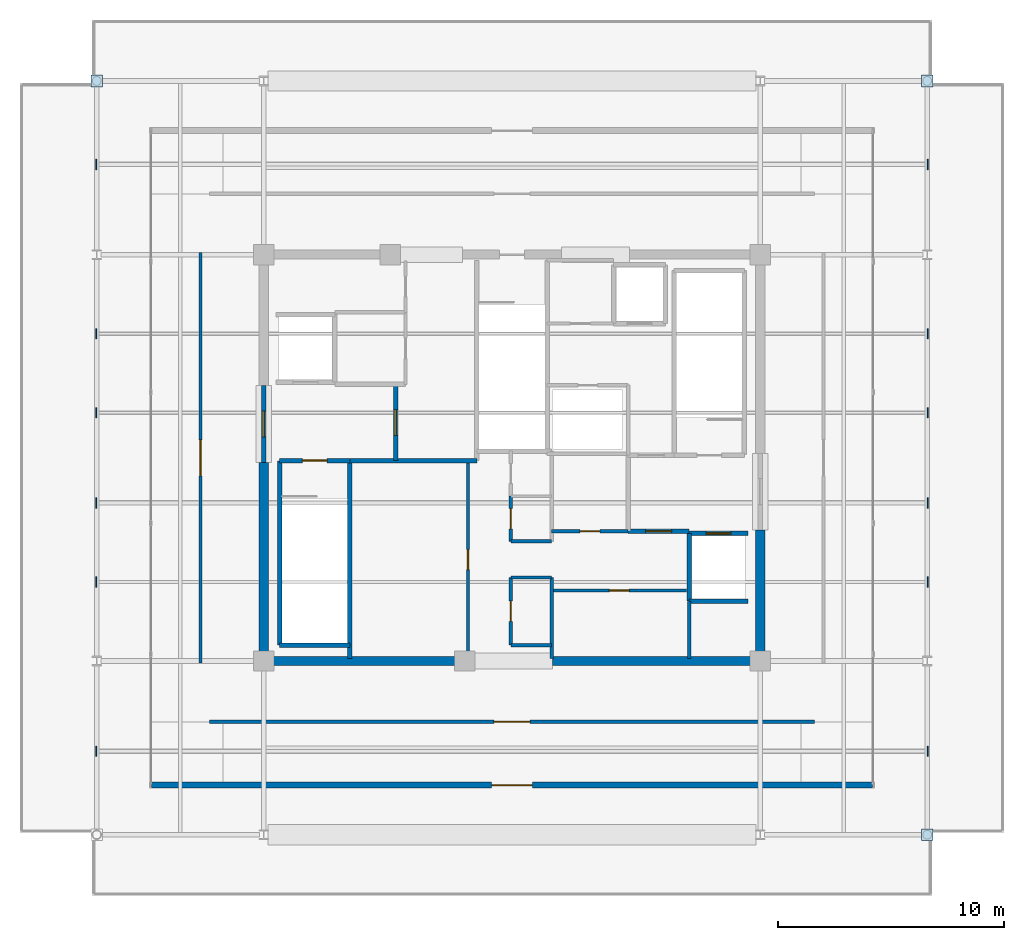
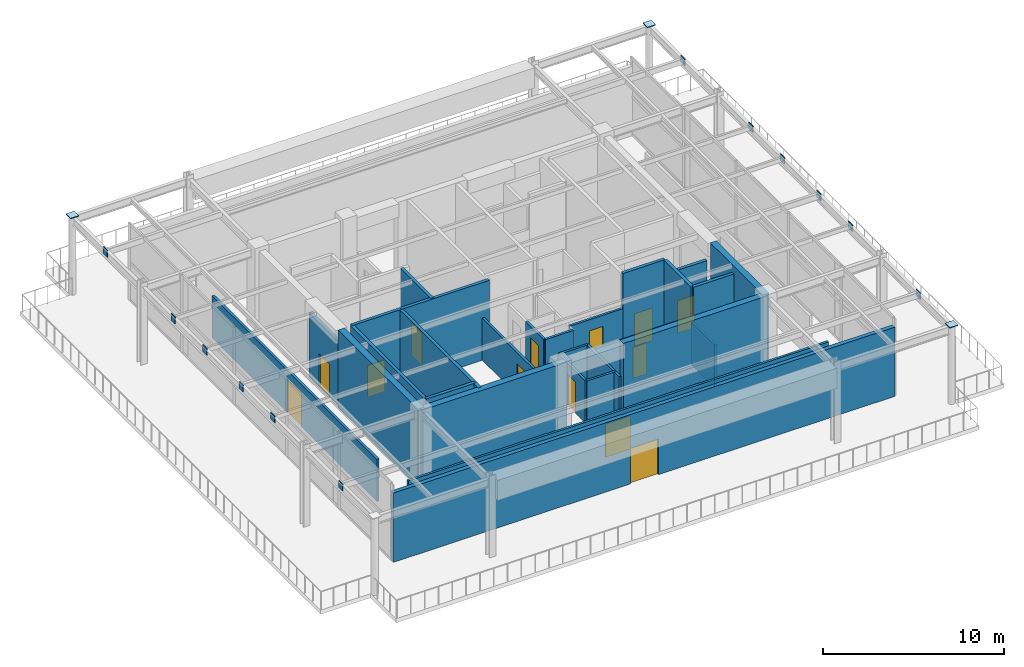
# One storey, part 13 of 16: 28 walls, 15 plates, 13 doors, 13 openings.
"""IFC4 building model written with IfcOpenShell, lengths in metres."""

from ifc_helpers import new_model, si_unit, direction, frame, frame_2d, origin, origin_2d, place, context, subcontext, project, spatial, rectangle, extrude, material, layer, layer_set, type_object, element, fill, save


model = new_model("IFC4")

# Units and contexts
model_context = context("Model", 3, precision=1e-05, world=origin(), true_north=direction((0.0, 1.0)))
body_context = subcontext(model_context, "Body", "Model", "MODEL_VIEW")
ifc_project = project(units=[si_unit("LENGTHUNIT", "METRE"), si_unit("AREAUNIT", "SQUARE_METRE"), si_unit("VOLUMEUNIT", "CUBIC_METRE"), si_unit("PLANEANGLEUNIT", "RADIAN"), si_unit("MASSUNIT", "GRAM", prefix="KILO")], contexts=[model_context])

# Site, building, storey
site_placement = place(None, origin())
site = spatial("IfcSite", under=ifc_project, at=site_placement, CompositionType="ELEMENT")
building_placement = place(site_placement, origin())
building = spatial("IfcBuilding", under=site, at=building_placement, Name="Kovane Verandah Tower", CompositionType="ELEMENT")
storey_placement = place(building_placement, frame((0.0, 0.0, 354.300048828125)))
storey = spatial("IfcBuildingStorey", under=building, at=storey_placement, Name="L82", CompositionType="ELEMENT", Elevation=354.300048828125)

# Plates
ifc_material_1 = material(Name="Steel S460", Category="steel")
ifc_layer_1 = layer(ifc_material_1, 0.050048828125)
ifc_layer_set_1 = layer_set([ifc_layer_1], Name="Steel S460")
plate_type = type_object("IfcPlateType", Name="PL-CAP-50", PredefinedType="SHEET", material=ifc_layer_set_1)
for number, where, z_axis, x_axis, name in (
    (1, (58.39990234375, 10.800048828125, 5.23974609375), (0.0, 0.0, 1.0), (1.0, 0.0, 0.0), "L82 MC-SE Hollow Column Cap Plate"),
    (2, (21.60009765625, 44.199951171875, 5.23974609375), (0.0, 0.0, 1.0), (1.0, 0.0, 0.0), "L82 MC-NW Hollow Column Cap Plate"),
    (3, (58.39990234375, 44.199951171875, 5.23974609375), (0.0, 0.0, 1.0), (1.0, 0.0, 0.0), "L82 MC-NE Hollow Column Cap Plate"),
):
    element("IfcPlate", number, at=place(storey_placement, frame(where, z_axis=z_axis, x_axis=x_axis)), inside=storey, type_object=plate_type, Name=name, PredefinedType="SHEET", context=body_context, shape_type="SweptSolid", body=[
        extrude(rectangle(XDim=0.52001953125, YDim=0.52001953125, at=origin_2d()), origin(), (0.0, 0.0, 1.0), 0.050048828125),
    ])
for number, where, z_axis, x_axis, name in (
    (4, (21.580078125, 14.5, 4.804931640625), (0.0, 0.0, 1.0), (1.0, 0.0, 0.0), "CAN-PUR01-L82-P0"),
    (5, (58.419921875, 14.5, 4.804931640625), (0.0, 0.0, 1.0), (1.0, 0.0, 0.0), "CAN-PUR01-L82-P1"),
    (6, (21.580078125, 40.5, 4.804931640625), (0.0, 0.0, 1.0), (1.0, 0.0, 0.0), "CAN-PUR02-L82-P0"),
    (7, (58.419921875, 40.5, 4.804931640625), (0.0, 0.0, 1.0), (1.0, 0.0, 0.0), "CAN-PUR02-L82-P1"),
    (8, (21.580078125, 22.0, 4.85498046875), (0.0, 0.0, 1.0), (1.0, 0.0, 0.0), "CAN-PUR03-L82-P0"),
    (9, (58.419921875, 22.0, 4.85498046875), (0.0, 0.0, 1.0), (1.0, 0.0, 0.0), "CAN-PUR03-L82-P1"),
    (10, (21.580078125, 33.0, 4.85498046875), (0.0, 0.0, 1.0), (1.0, 0.0, 0.0), "CAN-PUR04-L82-P0"),
    (11, (58.419921875, 33.0, 4.85498046875), (0.0, 0.0, 1.0), (1.0, 0.0, 0.0), "CAN-PUR04-L82-P1"),
    (12, (21.580078125, 25.5, 4.804931640625), (0.0, 0.0, 1.0), (1.0, 0.0, 0.0), "CAN-PUR05-L82-P0"),
    (13, (58.419921875, 25.5, 4.804931640625), (0.0, 0.0, 1.0), (1.0, 0.0, 0.0), "CAN-PUR05-L82-P1"),
    (14, (21.580078125, 29.5, 4.85498046875), (0.0, 0.0, 1.0), (1.0, 0.0, 0.0), "CAN-PUR06-L82-P0"),
    (15, (58.419921875, 29.5, 4.85498046875), (0.0, 0.0, 1.0), (1.0, 0.0, 0.0), "CAN-PUR06-L82-P1"),
):
    element("IfcPlate", number, at=place(storey_placement, frame(where, z_axis=z_axis, x_axis=x_axis)), inside=storey, type_object=plate_type, Name=name, PredefinedType="SHEET", context=body_context, shape_type="SweptSolid", body=[
        extrude(rectangle(XDim=0.050048828125, YDim=0.449951171875, at=origin_2d()), origin(), (0.0, 0.0, 1.0), 0.4599609375),
    ])

# Walls
ifc_material_2 = material(Name="Fire-Rated Gypsum Stud Partition", Category="gypsum")
ifc_layer_2 = layer(ifc_material_2, 0.14990234375)
ifc_layer_set_2 = layer_set([ifc_layer_2], Name="Fire-Rated Gypsum Stud Partition")
wall_type_1 = type_object("IfcWallType", Name="WL-COR-150", PredefinedType="PARTITIONING", material=ifc_layer_set_2)
for number, where, z_axis, x_axis, name in (
    (16, (39.949951171875, 19.199951171875, 0.0), (0.0, 0.0, 1.0), (1.0, 0.0, 0.0), "L82 Central Core Strip South Wall"),
    (17, (39.949951171875, 22.199951171875, 0.0), (0.0, 0.0, 1.0), (1.0, 0.0, 0.0), "L82 Core Cross-Passage South Wall"),
    (18, (39.949951171875, 23.800048828125, 0.0), (0.0, 0.0, 1.0), (1.0, 0.0, 0.0), "L82 Core Cross-Passage North Wall"),
):
    element("IfcWall", number, at=place(storey_placement, frame(where, z_axis=z_axis, x_axis=x_axis)), inside=storey, type_object=wall_type_1, Name=name, PredefinedType="PARTITIONING", context=body_context, shape_type="SweptSolid", body=[
        extrude(rectangle(XDim=1.81005859375, YDim=0.14990234375, at=frame_2d((0.905029296875, 0.0))), origin(), (0.0, 0.0, 1.0), 2.849853515625),
    ])
wall_1_placement = place(storey_placement, frame((41.760009765625, 18.60009765625, 0.0), z_axis=(0.0, 0.0, 1.0), x_axis=(0.0, 1.0, 0.0)))
element("IfcWall", 19, at=wall_1_placement, inside=storey, type_object=wall_type_1, Name="L82 Central Core Strip Lower East Wall", PredefinedType="PARTITIONING", context=body_context, shape_type="SweptSolid", body=[
    extrude(rectangle(XDim=3.599853515625, YDim=0.14990234375, at=frame_2d((1.7998046875, 0.0))), origin(), (0.0, 0.0, 1.0), 2.849853515625),
])

# Wall, opening, door
wall_2_placement = place(storey_placement, frame((39.949951171875, 19.199951171875, 0.0), z_axis=(0.0, 0.0, 1.0), x_axis=(0.0, 1.0, 0.0)))
wall_2 = element("IfcWall", 20, at=wall_2_placement, inside=storey, type_object=wall_type_1, Name="L82 Male Toilet Partition", PredefinedType="PARTITIONING", context=body_context, shape_type="SweptSolid", body=[
    extrude(rectangle(XDim=3.0, YDim=0.14990234375, at=frame_2d((1.5, 0.0))), origin(), (0.0, 0.0, 1.0), 2.849853515625),
])
opening_1_placement = place(wall_2_placement, frame((1.050048828125, 0.0, 0.0)))
opening_1 = element("IfcOpeningElement", 21, at=opening_1_placement, cuts=wall_2, Name="Opening DR-L82-024", PredefinedType="OPENING", context=body_context, shape_type="SweptSolid", body=[
    extrude(rectangle(XDim=0.89990234375, YDim=2.10009765625, at=frame_2d((0.449951171875, 1.050048828125))), frame((0.0, 0.074951171875, 0.0), z_axis=(0.0, -1.0, 0.0), x_axis=(1.0, 0.0, 0.0)), (0.0, 0.0, 1.0), 0.14990234375),
])
ifc_material_3 = material(Name="Moisture-Resistant Laminate Washroom Door", Category="wood")
door_type_1 = type_object("IfcDoorType", Name="DR-WC-900", OperationType="SINGLE_SWING_LEFT", PredefinedType="DOOR", material=ifc_material_3)
door_1_placement = place(opening_1_placement, origin())
door_1 = element("IfcDoor", 22, at=door_1_placement, inside=storey, type_object=door_type_1, Name="L82 Male Toilet Door", OperationType="SINGLE_SWING_LEFT", OverallHeight=2.10009765625, OverallWidth=0.89990234375, PredefinedType="DOOR", context=body_context, shape_type="SweptSolid", body=[
    extrude(rectangle(XDim=0.89990234375, YDim=2.10009765625, at=frame_2d((0.449951171875, 1.050048828125))), frame((0.0, 0.02490234375, 0.0), z_axis=(0.0, -1.0, 0.0), x_axis=(1.0, 0.0, 0.0)), (0.0, 0.0, 1.0), 0.050048828125),
])
fill(opening_1, door_1)

wall_3_placement = place(storey_placement, frame((39.949951171875, 23.800048828125, 0.0), z_axis=(0.0, 0.0, 1.0), x_axis=(0.0, 1.0, 0.0)))
wall_3 = element("IfcWall", 23, at=wall_3_placement, inside=storey, type_object=wall_type_1, Name="L82 Female Toilet Partition", PredefinedType="PARTITIONING", context=body_context, shape_type="SweptSolid", body=[
    extrude(rectangle(XDim=2.0, YDim=0.14990234375, at=frame_2d((1.0, 0.0))), origin(), (0.0, 0.0, 1.0), 2.849853515625),
])
opening_2_placement = place(wall_3_placement, frame((0.550048828125, 0.0, 0.0)))
opening_2 = element("IfcOpeningElement", 24, at=opening_2_placement, cuts=wall_3, Name="Opening DR-L82-023", PredefinedType="OPENING", context=body_context, shape_type="SweptSolid", body=[
    extrude(rectangle(XDim=0.89990234375, YDim=2.10009765625, at=frame_2d((0.449951171875, 1.050048828125))), frame((0.0, 0.074951171875, 0.0), z_axis=(0.0, -1.0, 0.0), x_axis=(1.0, 0.0, 0.0)), (0.0, 0.0, 1.0), 0.14990234375),
])
door_2_placement = place(opening_2_placement, origin())
door_2 = element("IfcDoor", 25, at=door_2_placement, inside=storey, type_object=door_type_1, Name="L82 Female Toilet Door", OperationType="SINGLE_SWING_RIGHT", OverallHeight=2.10009765625, OverallWidth=0.89990234375, PredefinedType="DOOR", context=body_context, shape_type="SweptSolid", body=[
    extrude(rectangle(XDim=0.89990234375, YDim=2.10009765625, at=frame_2d((0.449951171875, 1.050048828125))), frame((0.0, 0.02490234375, 0.0), z_axis=(0.0, -1.0, 0.0), x_axis=(1.0, 0.0, 0.0)), (0.0, 0.0, 1.0), 0.050048828125),
])
fill(opening_2, door_2)

wall_4_placement = place(storey_placement, frame((38.050048828125, 18.60009765625, 0.0), z_axis=(0.0, 0.0, 1.0), x_axis=(0.0, 1.0, 0.0)))
wall_4 = element("IfcWall", 26, at=wall_4_placement, inside=storey, type_object=wall_type_1, Name="L82 Core Mechanical Fan Plant Room Partition", PredefinedType="PARTITIONING", context=body_context, shape_type="SweptSolid", body=[
    extrude(rectangle(XDim=8.77978515625, YDim=0.14990234375, at=frame_2d((4.389892578125, 0.0))), origin(), (0.0, 0.0, 1.0), 2.849853515625),
])
opening_3_placement = place(wall_4_placement, frame((3.949951171875, 0.0, 0.0)))
opening_3 = element("IfcOpeningElement", 27, at=opening_3_placement, cuts=wall_4, Name="Opening DR-L82-011", PredefinedType="OPENING", context=body_context, shape_type="SweptSolid", body=[
    extrude(rectangle(XDim=0.8798828125, YDim=2.10009765625, at=frame_2d((0.43994140625, 1.050048828125))), frame((0.0, 0.074951171875, 0.0), z_axis=(0.0, -1.0, 0.0), x_axis=(1.0, 0.0, 0.0)), (0.0, 0.0, 1.0), 0.14990234375),
])
ifc_material_4 = material(Name="Fire-Rated Steel Riser Access Door", Category="steel")
door_type_2 = type_object("IfcDoorType", Name="DR-RISER-880", OperationType="SINGLE_SWING_LEFT", PredefinedType="DOOR", material=ifc_material_4)
door_3_placement = place(opening_3_placement, origin())
door_3 = element("IfcDoor", 28, at=door_3_placement, inside=storey, type_object=door_type_2, Name="L82 Core Mechanical Fan Plant Room Door", OperationType="SINGLE_SWING_RIGHT", OverallHeight=2.10009765625, OverallWidth=0.8798828125, PredefinedType="DOOR", context=body_context, shape_type="SweptSolid", body=[
    extrude(rectangle(XDim=0.8798828125, YDim=2.10009765625, at=frame_2d((0.43994140625, 1.050048828125))), frame((0.0, 0.02490234375, 0.0), z_axis=(0.0, -1.0, 0.0), x_axis=(1.0, 0.0, 0.0)), (0.0, 0.0, 1.0), 0.050048828125),
])
fill(opening_3, door_3)

# Wall
wall_5_placement = place(storey_placement, frame((47.85009765625, 18.60009765625, 0.0), z_axis=(0.0, 0.0, 1.0), x_axis=(0.0, 1.0, 0.0)))
element("IfcWall", 29, at=wall_5_placement, inside=storey, type_object=wall_type_1, Name="L82 East Core Support East Wall", PredefinedType="PARTITIONING", context=body_context, shape_type="SweptSolid", body=[
    extrude(rectangle(XDim=2.539794921875, YDim=0.14990234375, at=frame_2d((1.27001953125, 0.0))), origin(), (0.0, 0.0, 1.0), 2.849853515625),
])

# Wall, opening, door
wall_6_placement = place(storey_placement, frame((41.760009765625, 21.6201171875, 0.0), z_axis=(0.0, 0.0, 1.0), x_axis=(1.0, 0.0, 0.0)))
wall_6 = element("IfcWall", 30, at=wall_6_placement, inside=storey, type_object=wall_type_1, Name="L82 Core Smoke Extract Fan Plant Room Partition", PredefinedType="PARTITIONING", context=body_context, shape_type="SweptSolid", body=[
    extrude(rectangle(XDim=5.97998046875, YDim=0.14990234375, at=frame_2d((2.989990234375, 0.0))), origin(), (0.0, 0.0, 1.0), 2.849853515625),
])
opening_4_placement = place(wall_6_placement, frame((2.550048828125, 0.0, 0.0)))
opening_4 = element("IfcOpeningElement", 31, at=opening_4_placement, cuts=wall_6, Name="Opening DR-L82-012", PredefinedType="OPENING", context=body_context, shape_type="SweptSolid", body=[
    extrude(rectangle(XDim=0.8798828125, YDim=2.10009765625, at=frame_2d((0.43994140625, 1.050048828125))), frame((0.0, 0.074951171875, 0.0), z_axis=(0.0, -1.0, 0.0), x_axis=(1.0, 0.0, 0.0)), (0.0, 0.0, 1.0), 0.14990234375),
])
door_4_placement = place(opening_4_placement, origin())
door_4 = element("IfcDoor", 32, at=door_4_placement, inside=storey, type_object=door_type_2, Name="L82 Core Smoke Extract Fan Plant Room Door", OperationType="SINGLE_SWING_LEFT", OverallHeight=2.10009765625, OverallWidth=0.8798828125, PredefinedType="DOOR", context=body_context, shape_type="SweptSolid", body=[
    extrude(rectangle(XDim=0.8798828125, YDim=2.10009765625, at=frame_2d((0.43994140625, 1.050048828125))), frame((0.0, 0.02490234375, 0.0), z_axis=(0.0, -1.0, 0.0), x_axis=(1.0, 0.0, 0.0)), (0.0, 0.0, 1.0), 0.050048828125),
])
fill(opening_4, door_4)

wall_7_placement = place(storey_placement, frame((41.760009765625, 24.25, 0.0), z_axis=(0.0, 0.0, 1.0), x_axis=(1.0, 0.0, 0.0)))
wall_7 = element("IfcWall", 33, at=wall_7_placement, inside=storey, type_object=wall_type_1, Name="L82 Cleaner Store Partition", PredefinedType="PARTITIONING", context=body_context, shape_type="SweptSolid", body=[
    extrude(rectangle(XDim=3.389892578125, YDim=0.14990234375, at=frame_2d((1.69482421875, 0.0))), origin(), (0.0, 0.0, 1.0), 2.849853515625),
])
opening_5_placement = place(wall_7_placement, frame((1.2548828125, 0.0, 0.0)))
opening_5 = element("IfcOpeningElement", 34, at=opening_5_placement, cuts=wall_7, Name="Opening DR-L82-013", PredefinedType="OPENING", context=body_context, shape_type="SweptSolid", body=[
    extrude(rectangle(XDim=0.8798828125, YDim=2.10009765625, at=frame_2d((0.43994140625, 1.050048828125))), frame((0.0, 0.074951171875, 0.0), z_axis=(0.0, -1.0, 0.0), x_axis=(1.0, 0.0, 0.0)), (0.0, 0.0, 1.0), 0.14990234375),
])
door_5_placement = place(opening_5_placement, origin())
door_5 = element("IfcDoor", 35, at=door_5_placement, inside=storey, type_object=door_type_2, Name="L82 Cleaner Store Door", OperationType="SINGLE_SWING_RIGHT", OverallHeight=2.10009765625, OverallWidth=0.8798828125, PredefinedType="DOOR", context=body_context, shape_type="SweptSolid", body=[
    extrude(rectangle(XDim=0.8798828125, YDim=2.10009765625, at=frame_2d((0.43994140625, 1.050048828125))), frame((0.0, 0.02490234375, 0.0), z_axis=(0.0, -1.0, 0.0), x_axis=(1.0, 0.0, 0.0)), (0.0, 0.0, 1.0), 0.050048828125),
])
fill(opening_5, door_5)

wall_8_placement = place(storey_placement, frame((26.199951171875, 18.39990234375, 0.0), z_axis=(0.0, 0.0, 1.0), x_axis=(0.0, 1.0, 0.0)))
wall_8 = element("IfcWall", 36, at=wall_8_placement, inside=storey, type_object=wall_type_1, Name="L82 Crown Chiller and Lift Machine Plant Room Corridor Partition", PredefinedType="PARTITIONING", context=body_context, shape_type="SweptSolid", body=[
    extrude(rectangle(XDim=18.2001953125, YDim=0.14990234375, at=frame_2d((9.10009765625, 0.0))), origin(), (0.0, 0.0, 1.0), 2.849853515625),
])
opening_6_placement = place(wall_8_placement, frame((8.300048828125, 0.0, 0.0)))
opening_6 = element("IfcOpeningElement", 37, at=opening_6_placement, cuts=wall_8, Name="Opening DR-L82-018", PredefinedType="OPENING", context=body_context, shape_type="SweptSolid", body=[
    extrude(rectangle(XDim=1.60009765625, YDim=2.25, at=frame_2d((0.800048828125, 1.125))), frame((0.0, 0.074951171875, 0.0), z_axis=(0.0, -1.0, 0.0), x_axis=(1.0, 0.0, 0.0)), (0.0, 0.0, 1.0), 0.14990234375),
])
ifc_material_5 = material(Name="Louvred Acoustic Steel Double Plant Door", Category="steel")
door_type_3 = type_object("IfcDoorType", Name="DR-PLANT-1600", OperationType="DOUBLE_DOOR_SINGLE_SWING", PredefinedType="DOOR", material=ifc_material_5)
door_6_placement = place(opening_6_placement, origin())
door_6 = element("IfcDoor", 38, at=door_6_placement, inside=storey, type_object=door_type_3, Name="L82 Crown Chiller and Lift Machine Plant Room Entrance Door", OperationType="DOUBLE_DOOR_SINGLE_SWING", OverallHeight=2.25, OverallWidth=1.60009765625, PredefinedType="DOOR", context=body_context, shape_type="SweptSolid", body=[
    extrude(rectangle(XDim=1.60009765625, YDim=2.25, at=frame_2d((0.800048828125, 1.125))), frame((0.0, 0.02490234375, 0.0), z_axis=(0.0, -1.0, 0.0), x_axis=(1.0, 0.0, 0.0)), (0.0, 0.0, 1.0), 0.050048828125),
])
fill(opening_6, door_6)

wall_9_placement = place(storey_placement, frame((26.60009765625, 15.800048828125, 0.0), z_axis=(0.0, 0.0, 1.0), x_axis=(1.0, 0.0, 0.0)))
wall_9 = element("IfcWall", 39, at=wall_9_placement, inside=storey, type_object=wall_type_1, Name="L82 South Crown Heat-Recovery Plant Room Corridor Partition", PredefinedType="PARTITIONING", context=body_context, shape_type="SweptSolid", body=[
    extrude(rectangle(XDim=26.7998046875, YDim=0.14990234375, at=frame_2d((13.39990234375, 0.0))), origin(), (0.0, 0.0, 1.0), 2.849853515625),
])
opening_7_placement = place(wall_9_placement, frame((12.60009765625, 0.0, 0.0)))
opening_7 = element("IfcOpeningElement", 40, at=opening_7_placement, cuts=wall_9, Name="Opening DR-L82-021", PredefinedType="OPENING", context=body_context, shape_type="SweptSolid", body=[
    extrude(rectangle(XDim=1.60009765625, YDim=2.25, at=frame_2d((0.800048828125, 1.125))), frame((0.0, 0.074951171875, 0.0), z_axis=(0.0, -1.0, 0.0), x_axis=(1.0, 0.0, 0.0)), (0.0, 0.0, 1.0), 0.14990234375),
])
door_7_placement = place(opening_7_placement, origin())
door_7 = element("IfcDoor", 41, at=door_7_placement, inside=storey, type_object=door_type_3, Name="L82 South Crown Heat-Recovery Plant Room Entrance Door", OperationType="DOUBLE_DOOR_SINGLE_SWING", OverallHeight=2.25, OverallWidth=1.60009765625, PredefinedType="DOOR", context=body_context, shape_type="SweptSolid", body=[
    extrude(rectangle(XDim=1.60009765625, YDim=2.25, at=frame_2d((0.800048828125, 1.125))), frame((0.0, 0.02490234375, 0.0), z_axis=(0.0, -1.0, 0.0), x_axis=(1.0, 0.0, 0.0)), (0.0, 0.0, 1.0), 0.050048828125),
])
fill(opening_7, door_7)

# Walls
ifc_material_6 = material(Name="Concrete C60/75", Category="concrete")
ifc_layer_3 = layer(ifc_material_6, 0.39990234375)
ifc_layer_set_3 = layer_set([ifc_layer_3], Name="Concrete C60/75")
wall_type_2 = type_object("IfcWallType", Name="WL-CORE-400", PredefinedType="SHEAR", material=ifc_layer_set_3)
for number, where, z_axis, x_axis, name in (
    (42, (29.0, 18.5, 0.0), (0.0, 0.0, 1.0), (1.0, 0.0, 0.0), "L82 Core Shear Wall CS-1"),
    (43, (41.800048828125, 18.5, 0.0), (0.0, 0.0, 1.0), (1.0, 0.0, 0.0), "L82 Core Shear Wall CS-2"),
):
    element("IfcWall", number, at=place(storey_placement, frame(where, z_axis=z_axis, x_axis=x_axis)), inside=storey, type_object=wall_type_2, Name=name, PredefinedType="SHEAR", context=body_context, shape_type="SweptSolid", body=[
        extrude(rectangle(XDim=9.199951171875, YDim=0.39990234375, at=frame_2d((4.60009765625, 0.0))), origin(), (0.0, 0.0, 1.0), 5.239990234375),
    ])
wall_10_placement = place(storey_placement, frame((29.0, 18.5, 0.0), z_axis=(0.0, 0.0, 1.0), x_axis=(0.0, 1.0, 0.0)))
element("IfcWall", 44, at=wall_10_placement, inside=storey, type_object=wall_type_2, Name="L82 Core Shear Wall CW-1", PredefinedType="SHEAR", context=body_context, shape_type="SweptSolid", body=[
    extrude(rectangle(XDim=8.800048828125, YDim=0.39990234375, at=frame_2d((4.39990234375, 0.0))), origin(), (0.0, 0.0, 1.0), 5.239990234375),
])
wall_11_placement = place(storey_placement, frame((51.0, 18.5, 0.0), z_axis=(0.0, 0.0, 1.0), x_axis=(0.0, 1.0, 0.0)))
element("IfcWall", 45, at=wall_11_placement, inside=storey, type_object=wall_type_2, Name="L82 Core Shear Wall CE-1", PredefinedType="SHEAR", context=body_context, shape_type="SweptSolid", body=[
    extrude(rectangle(XDim=5.800048828125, YDim=0.39990234375, at=frame_2d((2.89990234375, 0.0))), origin(), (0.0, 0.0, 1.0), 5.239990234375),
])

# Wall, opening, door
ifc_material_7 = material(Name="Concrete C45/55 Fire Wall", Category="concrete")
ifc_layer_4 = layer(ifc_material_7, 0.199951171875)
ifc_layer_set_4 = layer_set([ifc_layer_4], Name="Concrete C45/55 Fire Wall")
wall_type_3 = type_object("IfcWallType", Name="WL-FFL-200", PredefinedType="PARTITIONING", material=ifc_layer_set_4)
wall_12_placement = place(storey_placement, frame((34.85009765625, 27.3798828125, 0.0), z_axis=(0.0, 0.0, 1.0), x_axis=(0.0, 1.0, 0.0)))
wall_12 = element("IfcWall", 46, at=wall_12_placement, inside=storey, type_object=wall_type_3, Name="W-L82-FFLW-E", PredefinedType="PARTITIONING", context=body_context, shape_type="SweptSolid", body=[
    extrude(rectangle(XDim=3.3701171875, YDim=0.199951171875, at=frame_2d((1.68505859375, 0.0))), origin(), (0.0, 0.0, 1.0), 5.239990234375),
])
opening_8_placement = place(wall_12_placement, frame((1.110107421875, 0.0, 0.0)))
opening_8 = element("IfcOpeningElement", 47, at=opening_8_placement, cuts=wall_12, Name="Opening DR-L82-004", PredefinedType="OPENING", context=body_context, shape_type="SweptSolid", body=[
    extrude(rectangle(XDim=1.14990234375, YDim=2.199951171875, at=frame_2d((0.574951171875, 1.10009765625))), frame((0.0, 0.10009765625, 0.0), z_axis=(0.0, -1.0, 0.0), x_axis=(1.0, 0.0, 0.0)), (0.0, 0.0, 1.0), 0.199951171875),
])
ifc_material_8 = material(Name="Smoke-Sealed Firefighting Lobby Door", Category="steel")
door_type_4 = type_object("IfcDoorType", Name="DR-FFL-1150", OperationType="SINGLE_SWING_LEFT", PredefinedType="DOOR", material=ifc_material_8)
door_8_placement = place(opening_8_placement, origin())
door_8 = element("IfcDoor", 48, at=door_8_placement, inside=storey, type_object=door_type_4, Name="L82 West Firefighting Lobby Inner Door", OperationType="SINGLE_SWING_LEFT", OverallHeight=2.199951171875, OverallWidth=1.14990234375, PredefinedType="DOOR", context=body_context, shape_type="SweptSolid", body=[
    extrude(rectangle(XDim=1.14990234375, YDim=2.199951171875, at=frame_2d((0.574951171875, 1.10009765625))), frame((0.0, 0.02490234375, 0.0), z_axis=(0.0, -1.0, 0.0), x_axis=(1.0, 0.0, 0.0)), (0.0, 0.0, 1.0), 0.050048828125),
])
fill(opening_8, door_8)

wall_13_placement = place(storey_placement, frame((29.0, 27.300048828125, 0.0), z_axis=(0.0, 0.0, 1.0), x_axis=(0.0, 1.0, 0.0)))
wall_13 = element("IfcWall", 49, at=wall_13_placement, inside=storey, type_object=wall_type_3, Name="W-L82-FFLW-OUT", PredefinedType="PARTITIONING", context=body_context, shape_type="SweptSolid", body=[
    extrude(rectangle(XDim=3.39990234375, YDim=0.199951171875, at=frame_2d((1.699951171875, 0.0))), origin(), (0.0, 0.0, 1.0), 4.320068359375),
])
opening_9_placement = place(wall_13_placement, frame((1.125, 0.0, 0.0)))
opening_9 = element("IfcOpeningElement", 50, at=opening_9_placement, cuts=wall_13, Name="Opening DR-L82-005", PredefinedType="OPENING", context=body_context, shape_type="SweptSolid", body=[
    extrude(rectangle(XDim=1.14990234375, YDim=2.199951171875, at=frame_2d((0.574951171875, 1.10009765625))), frame((0.0, 0.10009765625, 0.0), z_axis=(0.0, -1.0, 0.0), x_axis=(1.0, 0.0, 0.0)), (0.0, 0.0, 1.0), 0.199951171875),
])
door_9_placement = place(opening_9_placement, origin())
door_9 = element("IfcDoor", 51, at=door_9_placement, inside=storey, type_object=door_type_4, Name="L82 West Firefighting Lobby Corridor Door", OperationType="SINGLE_SWING_RIGHT", OverallHeight=2.199951171875, OverallWidth=1.14990234375, PredefinedType="DOOR", context=body_context, shape_type="SweptSolid", body=[
    extrude(rectangle(XDim=1.14990234375, YDim=2.199951171875, at=frame_2d((0.574951171875, 1.10009765625))), frame((0.0, 0.02490234375, 0.0), z_axis=(0.0, -1.0, 0.0), x_axis=(1.0, 0.0, 0.0)), (0.0, 0.0, 1.0), 0.050048828125),
])
fill(opening_9, door_9)

# Wall
wall_14_placement = place(storey_placement, frame((32.820068359375, 27.3798828125, 0.0), z_axis=(0.0, 0.0, 1.0), x_axis=(1.0, 0.0, 0.0)))
element("IfcWall", 52, at=wall_14_placement, inside=storey, type_object=wall_type_3, Name="L82 West Firefighting Lobby South Fire Wall", PredefinedType="PARTITIONING", context=body_context, shape_type="SweptSolid", body=[
    extrude(rectangle(XDim=5.619873046875, YDim=0.199951171875, at=frame_2d((2.81005859375, 0.0))), origin(), (0.0, 0.0, 1.0), 5.239990234375),
])

# Wall, opening, door
wall_15_placement = place(storey_placement, frame((45.14990234375, 24.25, 0.0), z_axis=(0.0, 0.0, 1.0), x_axis=(1.0, 0.0, 0.0)))
wall_15 = element("IfcWall", 53, at=wall_15_placement, inside=storey, type_object=wall_type_3, Name="W-L82-FFLE-S", PredefinedType="PARTITIONING", context=body_context, shape_type="SweptSolid", body=[
    extrude(rectangle(XDim=2.7001953125, YDim=0.199951171875, at=frame_2d((1.35009765625, 0.0))), origin(), (0.0, 0.0, 1.0), 5.239990234375),
])
opening_10_placement = place(wall_15_placement, frame((0.77490234375, 0.0, 0.0)))
opening_10 = element("IfcOpeningElement", 54, at=opening_10_placement, cuts=wall_15, Name="Opening DR-L82-001", PredefinedType="OPENING", context=body_context, shape_type="SweptSolid", body=[
    extrude(rectangle(XDim=1.14990234375, YDim=2.199951171875, at=frame_2d((0.574951171875, 1.10009765625))), frame((0.0, 0.10009765625, 0.0), z_axis=(0.0, -1.0, 0.0), x_axis=(1.0, 0.0, 0.0)), (0.0, 0.0, 1.0), 0.199951171875),
])
door_10_placement = place(opening_10_placement, origin())
door_10 = element("IfcDoor", 55, at=door_10_placement, inside=storey, type_object=door_type_4, Name="L82 East Firefighting Lobby Inner Door", OperationType="SINGLE_SWING_RIGHT", OverallHeight=2.199951171875, OverallWidth=1.14990234375, PredefinedType="DOOR", context=body_context, shape_type="SweptSolid", body=[
    extrude(rectangle(XDim=1.14990234375, YDim=2.199951171875, at=frame_2d((0.574951171875, 1.10009765625))), frame((0.0, 0.02490234375, 0.0), z_axis=(0.0, -1.0, 0.0), x_axis=(1.0, 0.0, 0.0)), (0.0, 0.0, 1.0), 0.050048828125),
])
fill(opening_10, door_10)

# Wall
ifc_material_9 = material(Name="Concrete C45/55 Lift Shaft Wall", Category="concrete")
ifc_layer_5 = layer(ifc_material_9, 0.199951171875)
ifc_layer_set_5 = layer_set([ifc_layer_5], Name="Concrete C45/55 Lift Shaft Wall")
wall_type_4 = type_object("IfcWallType", Name="WL-LIFT-200", PredefinedType="SOLIDWALL", material=ifc_layer_set_5)
wall_16_placement = place(storey_placement, frame((47.85009765625, 21.14990234375, 0.0), z_axis=(0.0, 0.0, 1.0), x_axis=(1.0, 0.0, 0.0)))
element("IfcWall", 56, at=wall_16_placement, inside=storey, type_object=wall_type_4, Name="L82 Lift FL-02 S Shaft Wall", PredefinedType="SOLIDWALL", context=body_context, shape_type="SweptSolid", body=[
    extrude(rectangle(XDim=2.599853515625, YDim=0.199951171875, at=frame_2d((1.2998046875, 0.0))), origin(), (0.0, 0.0, 1.0), 5.239990234375),
])

# Wall, opening, door
wall_17_placement = place(storey_placement, frame((50.449951171875, 24.14990234375, 0.0), z_axis=(0.0, 0.0, 1.0), x_axis=(-1.0, 0.0, 0.0)))
wall_17 = element("IfcWall", 57, at=wall_17_placement, inside=storey, type_object=wall_type_4, Name="L82 Lift FL-02 N Shaft Wall", PredefinedType="SOLIDWALL", context=body_context, shape_type="SweptSolid", body=[
    extrude(rectangle(XDim=2.599853515625, YDim=0.199951171875, at=frame_2d((1.2998046875, 0.0))), origin(), (0.0, 0.0, 1.0), 4.320068359375),
])
opening_11_placement = place(wall_17_placement, frame((0.75, 0.0, 0.0)))
opening_11 = element("IfcOpeningElement", 58, at=opening_11_placement, cuts=wall_17, Name="Opening LD-L82-002", PredefinedType="OPENING", context=body_context, shape_type="SweptSolid", body=[
    extrude(rectangle(XDim=1.10009765625, YDim=2.199951171875, at=frame_2d((0.550048828125, 1.10009765625))), frame((0.0, 0.10009765625, 0.0), z_axis=(0.0, -1.0, 0.0), x_axis=(1.0, 0.0, 0.0)), (0.0, 0.0, 1.0), 0.199951171875),
])
ifc_material_10 = material(Name="Brushed Stainless Steel Sliding Lift Landing Door", Category="steel")
door_type_5 = type_object("IfcDoorType", Name="DR-LIFT-1100", OperationType="SLIDING_TO_RIGHT", PredefinedType="DOOR", material=ifc_material_10)
door_11_placement = place(opening_11_placement, origin())
door_11 = element("IfcDoor", 59, at=door_11_placement, inside=storey, type_object=door_type_5, Name="L82 Lift FL-02 Sliding Landing Door", OperationType="SLIDING_TO_RIGHT", OverallHeight=2.199951171875, OverallWidth=1.10009765625, PredefinedType="DOOR", context=body_context, shape_type="SweptSolid", body=[
    extrude(rectangle(XDim=1.10009765625, YDim=2.199951171875, at=frame_2d((0.550048828125, 1.10009765625))), frame((0.0, 0.02490234375, 0.0), z_axis=(0.0, -1.0, 0.0), x_axis=(1.0, 0.0, 0.0)), (0.0, 0.0, 1.0), 0.050048828125),
])
fill(opening_11, door_11)

# Walls
wall_18_placement = place(storey_placement, frame((47.85009765625, 24.14990234375, 0.0), z_axis=(0.0, 0.0, 1.0), x_axis=(0.0, -1.0, 0.0)))
element("IfcWall", 60, at=wall_18_placement, inside=storey, type_object=wall_type_4, Name="L82 Lift FL-02 W Shaft Wall", PredefinedType="SOLIDWALL", context=body_context, shape_type="SweptSolid", body=[
    extrude(rectangle(XDim=3.0, YDim=0.199951171875, at=frame_2d((1.5, 0.0))), origin(), (0.0, 0.0, 1.0), 5.239990234375),
])
ifc_material_11 = material(Name="Concrete C45/55", Category="concrete")
ifc_layer_6 = layer(ifc_material_11, 0.199951171875)
ifc_layer_set_6 = layer_set([ifc_layer_6], Name="Concrete C45/55")
wall_type_5 = type_object("IfcWallType", Name="WL-SHAFT-200", PredefinedType="SOLIDWALL", material=ifc_layer_set_6)
wall_19_placement = place(storey_placement, frame((29.699951171875, 19.199951171875, 0.0), z_axis=(0.0, 0.0, 1.0), x_axis=(0.0, 1.0, 0.0)))
element("IfcWall", 61, at=wall_19_placement, inside=storey, type_object=wall_type_5, Name="W-L82-ST01-W", PredefinedType="SOLIDWALL", context=body_context, shape_type="SweptSolid", body=[
    extrude(rectangle(XDim=8.150146484375, YDim=0.199951171875, at=frame_2d((4.0751953125, 0.0))), origin(), (0.0, 0.0, 1.0), 5.239990234375),
])
wall_20_placement = place(storey_placement, frame((29.699951171875, 19.199951171875, 0.0), z_axis=(0.0, 0.0, 1.0), x_axis=(1.0, 0.0, 0.0)))
element("IfcWall", 62, at=wall_20_placement, inside=storey, type_object=wall_type_5, Name="W-L82-ST01-S", PredefinedType="SOLIDWALL", context=body_context, shape_type="SweptSolid", body=[
    extrude(rectangle(XDim=3.1201171875, YDim=0.199951171875, at=frame_2d((1.56005859375, 0.0))), origin(), (0.0, 0.0, 1.0), 5.239990234375),
])
wall_21_placement = place(storey_placement, frame((32.820068359375, 18.60009765625, 0.0), z_axis=(0.0, 0.0, 1.0), x_axis=(0.0, 1.0, 0.0)))
element("IfcWall", 63, at=wall_21_placement, inside=storey, type_object=wall_type_5, Name="W-L82-ST01-E", PredefinedType="SOLIDWALL", context=body_context, shape_type="SweptSolid", body=[
    extrude(rectangle(XDim=8.77978515625, YDim=0.199951171875, at=frame_2d((4.389892578125, 0.0))), origin(), (0.0, 0.0, 1.0), 5.239990234375),
])

# Wall, opening, door
wall_22_placement = place(storey_placement, frame((29.699951171875, 27.3798828125, 0.0), z_axis=(0.0, 0.0, 1.0), x_axis=(1.0, 0.0, 0.0)))
wall_22 = element("IfcWall", 64, at=wall_22_placement, inside=storey, type_object=wall_type_5, Name="W-L82-ST01-N", PredefinedType="SOLIDWALL", context=body_context, shape_type="SweptSolid", body=[
    extrude(rectangle(XDim=3.1201171875, YDim=0.199951171875, at=frame_2d((1.56005859375, 0.0))), origin(), (0.0, 0.0, 1.0), 5.239990234375),
])
opening_12_placement = place(wall_22_placement, frame((1.010009765625, 0.0, 0.0)))
opening_12 = element("IfcOpeningElement", 65, at=opening_12_placement, cuts=wall_22, Name="Opening DR-L82-008", PredefinedType="OPENING", context=body_context, shape_type="SweptSolid", body=[
    extrude(rectangle(XDim=1.10009765625, YDim=2.14990234375, at=frame_2d((0.550048828125, 1.074951171875))), frame((0.0, 0.10009765625, 0.0), z_axis=(0.0, -1.0, 0.0), x_axis=(1.0, 0.0, 0.0)), (0.0, 0.0, 1.0), 0.199951171875),
])
ifc_material_12 = material(Name="Fire-Rated Steel Exit Door", Category="steel")
door_type_6 = type_object("IfcDoorType", Name="DR-STAIR-1100", OperationType="SINGLE_SWING_LEFT", PredefinedType="DOOR", material=ifc_material_12)
door_12_placement = place(opening_12_placement, origin())
door_12 = element("IfcDoor", 66, at=door_12_placement, inside=storey, type_object=door_type_6, Name="L82 ST-01 Fire Exit Stair Door", OperationType="SINGLE_SWING_RIGHT", OverallHeight=2.14990234375, OverallWidth=1.10009765625, PredefinedType="DOOR", context=body_context, shape_type="SweptSolid", body=[
    extrude(rectangle(XDim=1.10009765625, YDim=2.14990234375, at=frame_2d((0.550048828125, 1.074951171875))), frame((0.0, 0.02490234375, 0.0), z_axis=(0.0, -1.0, 0.0), x_axis=(1.0, 0.0, 0.0)), (0.0, 0.0, 1.0), 0.050048828125),
])
fill(opening_12, door_12)

ifc_material_13 = material(Name="Concrete C45/55 Insulated Spandrel Wall", Category="concrete")
ifc_layer_7 = layer(ifc_material_13, 0.260009765625)
ifc_layer_set_7 = layer_set([ifc_layer_7], Name="Concrete C45/55 Insulated Spandrel Wall")
wall_type_6 = type_object("IfcWallType", Name="WL-SPANDREL-260", PredefinedType="PARAPET", material=ifc_layer_set_7)
wall_23_placement = place(storey_placement, frame((24.0, 13.0, 0.0), z_axis=(0.0, 0.0, 1.0), x_axis=(1.0, 0.0, 0.0)))
wall_23 = element("IfcWall", 67, at=wall_23_placement, inside=storey, type_object=wall_type_6, Name="L82 Observation Vestibule S Wall", PredefinedType="PARAPET", context=body_context, shape_type="SweptSolid", body=[
    extrude(rectangle(XDim=32.0, YDim=0.260009765625, at=frame_2d((16.0, 0.0))), origin(), (0.0, 0.0, 1.0), 4.675537109375),
])
opening_13_placement = place(wall_23_placement, frame((15.10009765625, 0.0, 0.0)))
opening_13 = element("IfcOpeningElement", 68, at=opening_13_placement, cuts=wall_23, Name="Opening DR-L82-007", PredefinedType="OPENING", context=body_context, shape_type="SweptSolid", body=[
    extrude(rectangle(XDim=1.800048828125, YDim=2.39990234375, at=frame_2d((0.89990234375, 1.199951171875))), frame((0.0, 0.1298828125, 0.0), z_axis=(0.0, -1.0, 0.0), x_axis=(1.0, 0.0, 0.0)), (0.0, 0.0, 1.0), 0.260009765625),
])
ifc_material_14 = material(Name="Cyclone-Rated Glazed Verandah Double Door", Category="aluminium")
door_type_7 = type_object("IfcDoorType", Name="DR-TERR-1800x2400", OperationType="DOUBLE_DOOR_SINGLE_SWING", PredefinedType="DOOR", material=ifc_material_14)
door_13_placement = place(opening_13_placement, origin())
door_13 = element("IfcDoor", 69, at=door_13_placement, inside=storey, type_object=door_type_7, Name="L82 S Open Observation Lookout Access Door", OperationType="DOUBLE_DOOR_SINGLE_SWING", OverallHeight=2.39990234375, OverallWidth=1.800048828125, PredefinedType="DOOR", context=body_context, shape_type="SweptSolid", body=[
    extrude(rectangle(XDim=1.800048828125, YDim=2.39990234375, at=frame_2d((0.89990234375, 1.199951171875))), frame((0.0, 0.02490234375, 0.0), z_axis=(0.0, -1.0, 0.0), x_axis=(1.0, 0.0, 0.0)), (0.0, 0.0, 1.0), 0.050048828125),
])
fill(opening_13, door_13)

save(model, "model.ifc")
